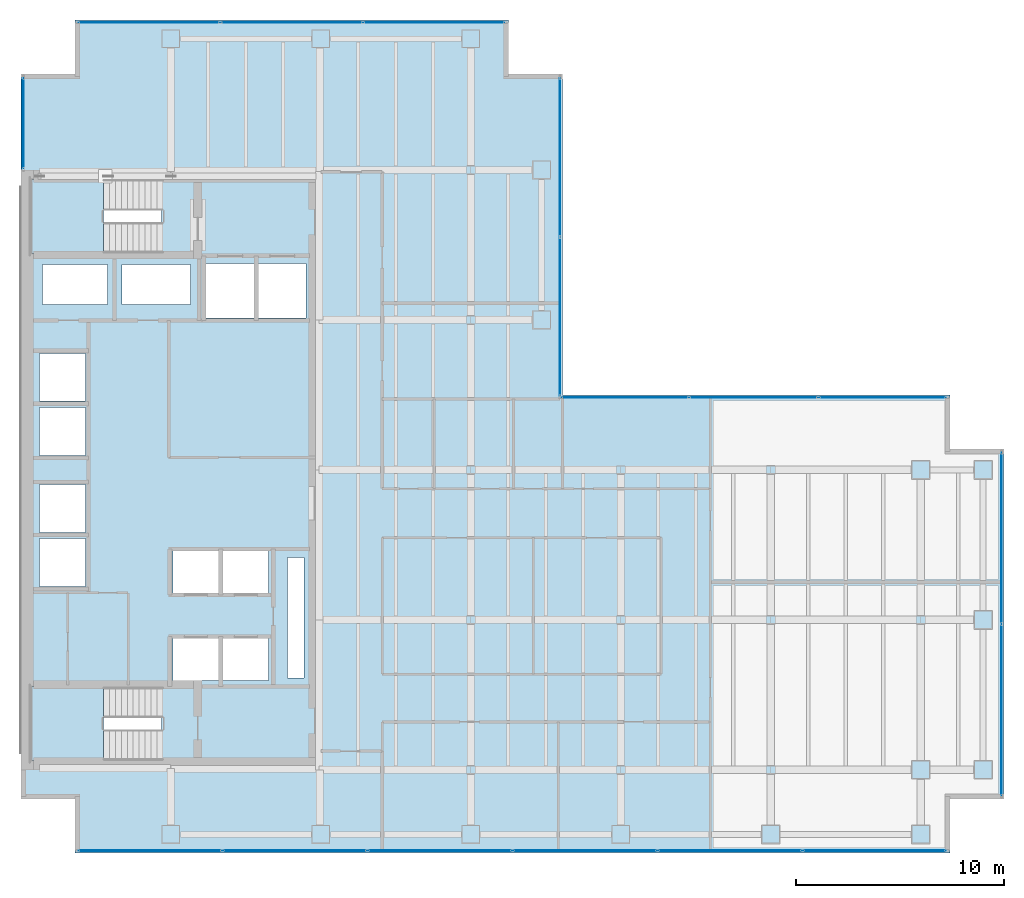
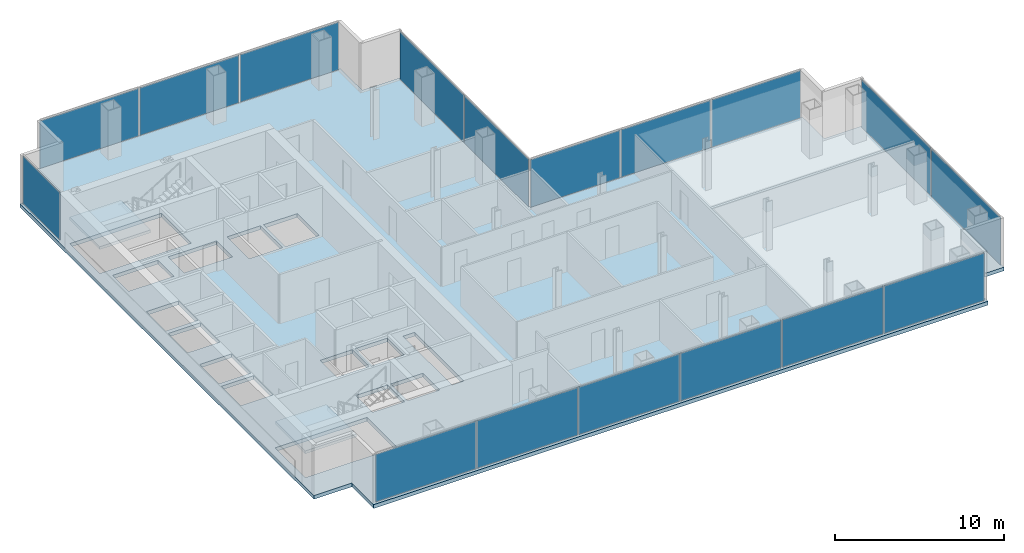
# One storey, part 19 of 23: 17 plates, 3 slabs, 15 openings, 8 elements without a shape of their own.
"""IFC4 building model written with IfcOpenShell, lengths in metres."""

from ifc_helpers import new_model, si_unit, direction, frame, origin, origin_2d, place, context, subcontext, project, spatial, polyline, rectangle, outline, extrude, material, layer, layer_set, type_object, element, aggregate, save


model = new_model("IFC4")

# Units and contexts
model_context = context("Model", 3, precision=1e-05, world=origin(), true_north=direction((0.0, 1.0)))
body_context = subcontext(model_context, "Body", "Model", "MODEL_VIEW")
ifc_project = project(units=[si_unit("LENGTHUNIT", "METRE"), si_unit("AREAUNIT", "SQUARE_METRE"), si_unit("VOLUMEUNIT", "CUBIC_METRE"), si_unit("PLANEANGLEUNIT", "RADIAN"), si_unit("MASSUNIT", "GRAM", prefix="KILO")], contexts=[model_context])

# Site, building, storey
site_placement = place(None, origin())
site = spatial("IfcSite", under=ifc_project, at=site_placement, CompositionType="ELEMENT")
building_placement = place(site_placement, origin())
building = spatial("IfcBuilding", under=site, at=building_placement, Name="Cobrela Telecom Tower", CompositionType="ELEMENT")
storey_placement = place(building_placement, frame((0.0, 0.0, 140.699951171875)))
storey = spatial("IfcBuildingStorey", under=building, at=storey_placement, Name="L35", CompositionType="ELEMENT", Elevation=140.699951171875)

# Curtain wall, plate
ifc_material_1 = material(Name="Anodized Bronze Aluminium 6063-T6", Category="aluminium")
curtain_wall_type = type_object("IfcCurtainWallType", Name="CW-SYS-TEL", PredefinedType="USERDEFINED", material=ifc_material_1)
curtain_wall_1_placement = place(storey_placement, origin())
curtain_wall_1 = element("IfcCurtainWall", 1, at=curtain_wall_1_placement, inside=storey, type_object=curtain_wall_type, Name="L35 Unitised Bronze Curtain Wall 04", ObjectType="UNITISED CURTAIN WALL", PredefinedType="USERDEFINED")
ifc_material_2 = material(Name="Solar-Control Bronze Low-E Glass", Category="glass")
ifc_layer_1 = layer(ifc_material_2, 0.035888671875)
ifc_layer_set_1 = layer_set([ifc_layer_1], Name="Solar-Control Bronze Low-E Glass")
plate_type = type_object("IfcPlateType", Name="CW-SYS-TEL-PNL", PredefinedType="CURTAIN_PANEL", material=ifc_layer_set_1)
plate_1_placement = place(storey_placement, frame((0.1201171875, 38.2451171875, 0.070068359375), z_axis=(0.0, 0.0, 1.0), x_axis=(0.0, 1.0, 0.0)))
plate_1 = element("IfcPlate", 2, at=plate_1_placement, type_object=plate_type, Name="CW-TEL panel 1.1", PredefinedType="CURTAIN_PANEL", context=body_context, shape_type="SweptSolid", body=[
    extrude(rectangle(XDim=4.340087890625, YDim=0.035888671875, at=origin_2d()), origin(), (0.0, 0.0, 1.0), 3.43994140625),
])
aggregate(curtain_wall_1, [plate_1])

# Curtain wall, plates
curtain_wall_2_placement = place(storey_placement, origin())
curtain_wall_2 = element("IfcCurtainWall", 3, at=curtain_wall_2_placement, inside=storey, type_object=curtain_wall_type, Name="L35 Unitised Bronze Curtain Wall 07", ObjectType="UNITISED CURTAIN WALL", PredefinedType="USERDEFINED")
plate_2_placement = place(storey_placement, frame((6.15869140625, 43.080078125, 0.070068359375), z_axis=(0.0, 0.0, 1.0), x_axis=(1.0, 0.0, 0.0)))
plate_2 = element("IfcPlate", 4, at=plate_2_placement, type_object=plate_type, Name="CW-TEL panel 1.1", PredefinedType="CURTAIN_PANEL", context=body_context, shape_type="SweptSolid", body=[
    extrude(rectangle(XDim=6.74755859375, YDim=0.035888671875, at=origin_2d()), origin(), (0.0, 0.0, 1.0), 3.43994140625),
])
plate_3_placement = place(storey_placement, frame((13.0, 43.080078125, 0.070068359375), z_axis=(0.0, 0.0, 1.0), x_axis=(1.0, 0.0, 0.0)))
plate_3 = element("IfcPlate", 5, at=plate_3_placement, type_object=plate_type, Name="CW-TEL panel 2.1", PredefinedType="CURTAIN_PANEL", context=body_context, shape_type="SweptSolid", body=[
    extrude(rectangle(XDim=6.784912109375, YDim=0.035888671875, at=origin_2d()), origin(), (0.0, 0.0, 1.0), 3.43994140625),
])
plate_4_placement = place(storey_placement, frame((19.84130859375, 43.080078125, 0.070068359375), z_axis=(0.0, 0.0, 1.0), x_axis=(1.0, 0.0, 0.0)))
plate_4 = element("IfcPlate", 6, at=plate_4_placement, type_object=plate_type, Name="CW-TEL panel 3.1", PredefinedType="CURTAIN_PANEL", context=body_context, shape_type="SweptSolid", body=[
    extrude(rectangle(XDim=6.74755859375, YDim=0.035888671875, at=origin_2d()), origin(), (0.0, 0.0, 1.0), 3.43994140625),
])
aggregate(curtain_wall_2, [plate_2, plate_3, plate_4])

curtain_wall_3_placement = place(storey_placement, origin())
curtain_wall_3 = element("IfcCurtainWall", 7, at=curtain_wall_3_placement, inside=storey, type_object=curtain_wall_type, Name="L35 Unitised Bronze Curtain Wall 10", ObjectType="UNITISED CURTAIN WALL", PredefinedType="USERDEFINED")
plate_5_placement = place(storey_placement, frame((25.8798828125, 36.61865234375, 0.070068359375), z_axis=(0.0, 0.0, 1.0), x_axis=(0.0, -1.0, 0.0)))
plate_5 = element("IfcPlate", 8, at=plate_5_placement, type_object=plate_type, Name="CW-TEL panel 1.1", PredefinedType="CURTAIN_PANEL", context=body_context, shape_type="SweptSolid", body=[
    extrude(rectangle(XDim=7.592529296875, YDim=0.035888671875, at=origin_2d()), origin(), (0.0, 0.0, 1.0), 3.43994140625),
])
plate_6_placement = place(storey_placement, frame((25.8798828125, 28.951171875, 0.070068359375), z_axis=(0.0, 0.0, 1.0), x_axis=(0.0, -1.0, 0.0)))
plate_6 = element("IfcPlate", 9, at=plate_6_placement, type_object=plate_type, Name="CW-TEL panel 2.1", PredefinedType="CURTAIN_PANEL", context=body_context, shape_type="SweptSolid", body=[
    extrude(rectangle(XDim=7.592529296875, YDim=0.035888671875, at=origin_2d()), origin(), (0.0, 0.0, 1.0), 3.43994140625),
])
aggregate(curtain_wall_3, [plate_5, plate_6])

curtain_wall_4_placement = place(storey_placement, origin())
curtain_wall_4 = element("IfcCurtainWall", 10, at=curtain_wall_4_placement, inside=storey, type_object=curtain_wall_type, Name="L35 Unitised Bronze Curtain Wall 11", ObjectType="UNITISED CURTAIN WALL", PredefinedType="USERDEFINED")
plate_7_placement = place(storey_placement, frame((29.00048828125, 25.080078125, 0.070068359375), z_axis=(0.0, 0.0, 1.0), x_axis=(1.0, 0.0, 0.0)))
plate_7 = element("IfcPlate", 11, at=plate_7_placement, type_object=plate_type, Name="CW-TEL panel 1.1", PredefinedType="CURTAIN_PANEL", context=body_context, shape_type="SweptSolid", body=[
    extrude(rectangle(XDim=6.0908203125, YDim=0.035888671875, at=origin_2d()), origin(), (0.0, 0.0, 1.0), 3.43994140625),
])
plate_8_placement = place(storey_placement, frame((35.18505859375, 25.080078125, 0.070068359375), z_axis=(0.0, 0.0, 1.0), x_axis=(1.0, 0.0, 0.0)))
plate_8 = element("IfcPlate", 12, at=plate_8_placement, type_object=plate_type, Name="CW-TEL panel 2.1", PredefinedType="CURTAIN_PANEL", context=body_context, shape_type="SweptSolid", body=[
    extrude(rectangle(XDim=6.12841796875, YDim=0.035888671875, at=origin_2d()), origin(), (0.0, 0.0, 1.0), 3.43994140625),
])
plate_9_placement = place(storey_placement, frame((41.36962890625, 25.080078125, 0.070068359375), z_axis=(0.0, 0.0, 1.0), x_axis=(1.0, 0.0, 0.0)))
plate_9 = element("IfcPlate", 13, at=plate_9_placement, type_object=plate_type, Name="CW-TEL panel 3.1", PredefinedType="CURTAIN_PANEL", context=body_context, shape_type="SweptSolid", body=[
    extrude(rectangle(XDim=6.0908203125, YDim=0.035888671875, at=origin_2d()), origin(), (0.0, 0.0, 1.0), 3.43994140625),
])
aggregate(curtain_wall_4, [plate_7, plate_8, plate_9])

curtain_wall_5_placement = place(storey_placement, origin())
curtain_wall_5 = element("IfcCurtainWall", 14, at=curtain_wall_5_placement, inside=storey, type_object=curtain_wall_type, Name="L35 Unitised Bronze Curtain Wall 14", ObjectType="UNITISED CURTAIN WALL", PredefinedType="USERDEFINED")
plate_10_placement = place(storey_placement, frame((47.080078125, 18.326171875, 0.070068359375), z_axis=(0.0, 0.0, 1.0), x_axis=(0.0, -1.0, 0.0)))
plate_10 = element("IfcPlate", 15, at=plate_10_placement, type_object=plate_type, Name="CW-TEL panel 1.1", PredefinedType="CURTAIN_PANEL", context=body_context, shape_type="SweptSolid", body=[
    extrude(rectangle(XDim=8.177490234375, YDim=0.035888671875, at=origin_2d()), origin(), (0.0, 0.0, 1.0), 3.43994140625),
])
plate_11_placement = place(storey_placement, frame((47.080078125, 10.07373046875, 0.070068359375), z_axis=(0.0, 0.0, 1.0), x_axis=(0.0, -1.0, 0.0)))
plate_11 = element("IfcPlate", 16, at=plate_11_placement, type_object=plate_type, Name="CW-TEL panel 2.1", PredefinedType="CURTAIN_PANEL", context=body_context, shape_type="SweptSolid", body=[
    extrude(rectangle(XDim=8.177490234375, YDim=0.035888671875, at=origin_2d()), origin(), (0.0, 0.0, 1.0), 3.43994140625),
])
aggregate(curtain_wall_5, [plate_10, plate_11])

curtain_wall_6_placement = place(storey_placement, origin())
curtain_wall_6 = element("IfcCurtainWall", 17, at=curtain_wall_6_placement, inside=storey, type_object=curtain_wall_type, Name="L35 Unitised Bronze Curtain Wall 17", ObjectType="UNITISED CURTAIN WALL", PredefinedType="USERDEFINED")
plate_12_placement = place(storey_placement, frame((40.989501953125, 3.320068359375, 0.070068359375), z_axis=(0.0, 0.0, 1.0), x_axis=(-1.0, 0.0, 0.0)))
plate_12 = element("IfcPlate", 18, at=plate_12_placement, type_object=plate_type, Name="CW-TEL panel 1.1", PredefinedType="CURTAIN_PANEL", context=body_context, shape_type="SweptSolid", body=[
    extrude(rectangle(XDim=6.850830078125, YDim=0.035888671875, at=origin_2d()), origin(), (0.0, 0.0, 1.0), 3.43994140625),
])
plate_13_placement = place(storey_placement, frame((34.044921875, 3.320068359375, 0.070068359375), z_axis=(0.0, 0.0, 1.0), x_axis=(-1.0, 0.0, 0.0)))
plate_13 = element("IfcPlate", 19, at=plate_13_placement, type_object=plate_type, Name="CW-TEL panel 2.1", PredefinedType="CURTAIN_PANEL", context=body_context, shape_type="SweptSolid", body=[
    extrude(rectangle(XDim=6.888427734375, YDim=0.035888671875, at=origin_2d()), origin(), (0.0, 0.0, 1.0), 3.43994140625),
])
plate_14_placement = place(storey_placement, frame((27.081787109375, 3.320068359375, 0.070068359375), z_axis=(0.0, 0.0, 1.0), x_axis=(-1.0, 0.0, 0.0)))
plate_14 = element("IfcPlate", 20, at=plate_14_placement, type_object=plate_type, Name="CW-TEL panel 3.1", PredefinedType="CURTAIN_PANEL", context=body_context, shape_type="SweptSolid", body=[
    extrude(rectangle(XDim=6.888427734375, YDim=0.035888671875, at=origin_2d()), origin(), (0.0, 0.0, 1.0), 3.43994140625),
])
plate_15_placement = place(storey_placement, frame((20.118408203125, 3.320068359375, 0.070068359375), z_axis=(0.0, 0.0, 1.0), x_axis=(-1.0, 0.0, 0.0)))
plate_15 = element("IfcPlate", 21, at=plate_15_placement, type_object=plate_type, Name="CW-TEL panel 4.1", PredefinedType="CURTAIN_PANEL", context=body_context, shape_type="SweptSolid", body=[
    extrude(rectangle(XDim=6.888427734375, YDim=0.035888671875, at=origin_2d()), origin(), (0.0, 0.0, 1.0), 3.43994140625),
])
plate_16_placement = place(storey_placement, frame((13.155029296875, 3.320068359375, 0.070068359375), z_axis=(0.0, 0.0, 1.0), x_axis=(-1.0, 0.0, 0.0)))
plate_16 = element("IfcPlate", 22, at=plate_16_placement, type_object=plate_type, Name="CW-TEL panel 5.1", PredefinedType="CURTAIN_PANEL", context=body_context, shape_type="SweptSolid", body=[
    extrude(rectangle(XDim=6.888427734375, YDim=0.035888671875, at=origin_2d()), origin(), (0.0, 0.0, 1.0), 3.43994140625),
])
plate_17_placement = place(storey_placement, frame((6.21044921875, 3.320068359375, 0.070068359375), z_axis=(0.0, 0.0, 1.0), x_axis=(-1.0, 0.0, 0.0)))
plate_17 = element("IfcPlate", 23, at=plate_17_placement, type_object=plate_type, Name="CW-TEL panel 6.1", PredefinedType="CURTAIN_PANEL", context=body_context, shape_type="SweptSolid", body=[
    extrude(rectangle(XDim=6.850830078125, YDim=0.035888671875, at=origin_2d()), origin(), (0.0, 0.0, 1.0), 3.43994140625),
])
aggregate(curtain_wall_6, [plate_12, plate_13, plate_14, plate_15, plate_16, plate_17])

# Slab, openings
ifc_material_3 = material(Name="Concrete C40/50", Category="concrete")
ifc_layer_2 = layer(ifc_material_3, 0.27001953125)
ifc_layer_set_2 = layer_set([ifc_layer_2], Name="Concrete C40/50")
slab_type_1 = type_object("IfcSlabType", Name="SLAB-FLR-270", PredefinedType="FLOOR", material=ifc_layer_set_2)
slab_1_placement = place(storey_placement, frame((0.0, 0.0, -0.27001953125)))
slab_1 = element("IfcSlab", 24, at=slab_1_placement, inside=storey, type_object=slab_type_1, Name="L35 Structural Floor Slab", PredefinedType="FLOOR", context=body_context, shape_type="SweptSolid", body=[
    extrude(outline(polyline([(2.590087890625, 3.199951171875), (44.610107421875, 3.199951171875), (44.610107421875, 5.7900390625), (47.199951171875, 5.7900390625), (47.199951171875, 22.610107421875), (44.610107421875, 22.610107421875), (44.610107421875, 25.199951171875), (26.0, 25.199951171875), (26.0, 40.610107421875), (23.409912109375, 40.610107421875), (23.409912109375, 43.199951171875), (2.590087890625, 43.199951171875), (2.590087890625, 40.610107421875), (0.0, 40.610107421875), (0.0, 5.7900390625), (2.590087890625, 5.7900390625), (2.590087890625, 3.199951171875)])), origin(), (0.0, 0.0, 1.0), 0.27001953125),
])
opening_1_placement = place(slab_1_placement, frame((0.0, 0.0, -0.02001953125)))
element("IfcOpeningElement", 25, at=opening_1_placement, cuts=slab_1, Name="Slab Shaft Opening SLAB-L35-MAIN.1", PredefinedType="OPENING", context=body_context, shape_type="SweptSolid", body=[
    extrude(outline(polyline([(8.89990234375, 28.89990234375), (11.199951171875, 28.89990234375), (11.199951171875, 31.5), (8.89990234375, 31.5), (8.89990234375, 28.89990234375)])), origin(), (0.0, 0.0, 1.0), 0.31005859375),
])
opening_2_placement = place(slab_1_placement, frame((0.0, 0.0, -0.02001953125)))
element("IfcOpeningElement", 26, at=opening_2_placement, cuts=slab_1, Name="Slab Shaft Opening SLAB-L35-MAIN.2", PredefinedType="OPENING", context=body_context, shape_type="SweptSolid", body=[
    extrude(outline(polyline([(11.39990234375, 28.89990234375), (13.699951171875, 28.89990234375), (13.699951171875, 31.5), (11.39990234375, 31.5), (11.39990234375, 28.89990234375)])), origin(), (0.0, 0.0, 1.0), 0.31005859375),
])
opening_3_placement = place(slab_1_placement, frame((0.0, 0.0, -0.02001953125)))
element("IfcOpeningElement", 27, at=opening_3_placement, cuts=slab_1, Name="Slab Shaft Opening SLAB-L35-MAIN.3", PredefinedType="OPENING", context=body_context, shape_type="SweptSolid", body=[
    extrude(outline(polyline([(7.300048828125, 15.699951171875), (9.5, 15.699951171875), (9.5, 17.699951171875), (7.300048828125, 17.699951171875), (7.300048828125, 15.699951171875)])), origin(), (0.0, 0.0, 1.0), 0.31005859375),
])
opening_4_placement = place(slab_1_placement, frame((0.0, 0.0, -0.02001953125)))
element("IfcOpeningElement", 28, at=opening_4_placement, cuts=slab_1, Name="Slab Shaft Opening SLAB-L35-MAIN.4", PredefinedType="OPENING", context=body_context, shape_type="SweptSolid", body=[
    extrude(outline(polyline([(9.699951171875, 15.699951171875), (11.89990234375, 15.699951171875), (11.89990234375, 17.699951171875), (9.699951171875, 17.699951171875), (9.699951171875, 15.699951171875)])), origin(), (0.0, 0.0, 1.0), 0.31005859375),
])
opening_5_placement = place(slab_1_placement, frame((0.0, 0.0, -0.02001953125)))
element("IfcOpeningElement", 29, at=opening_5_placement, cuts=slab_1, Name="Slab Shaft Opening SLAB-L35-MAIN.5", PredefinedType="OPENING", context=body_context, shape_type="SweptSolid", body=[
    extrude(outline(polyline([(7.300048828125, 11.5), (9.5, 11.5), (9.5, 13.5), (7.300048828125, 13.5), (7.300048828125, 11.5)])), origin(), (0.0, 0.0, 1.0), 0.31005859375),
])
opening_6_placement = place(slab_1_placement, frame((0.0, 0.0, -0.02001953125)))
element("IfcOpeningElement", 30, at=opening_6_placement, cuts=slab_1, Name="Slab Shaft Opening SLAB-L35-MAIN.6", PredefinedType="OPENING", context=body_context, shape_type="SweptSolid", body=[
    extrude(outline(polyline([(9.699951171875, 11.5), (11.89990234375, 11.5), (11.89990234375, 13.5), (9.699951171875, 13.5), (9.699951171875, 11.5)])), origin(), (0.0, 0.0, 1.0), 0.31005859375),
])
opening_7_placement = place(slab_1_placement, frame((0.0, 0.0, -0.02001953125)))
element("IfcOpeningElement", 31, at=opening_7_placement, cuts=slab_1, Name="Slab Shaft Opening SLAB-L35-MAIN.7", PredefinedType="OPENING", context=body_context, shape_type="SweptSolid", body=[
    extrude(outline(polyline([(0.89990234375, 16.0), (3.10009765625, 16.0), (3.10009765625, 18.300048828125), (0.89990234375, 18.300048828125), (0.89990234375, 16.0)])), origin(), (0.0, 0.0, 1.0), 0.31005859375),
])
opening_8_placement = place(slab_1_placement, frame((0.0, 0.0, -0.02001953125)))
element("IfcOpeningElement", 32, at=opening_8_placement, cuts=slab_1, Name="Slab Shaft Opening SLAB-L35-MAIN.8", PredefinedType="OPENING", context=body_context, shape_type="SweptSolid", body=[
    extrude(outline(polyline([(0.89990234375, 18.60009765625), (3.10009765625, 18.60009765625), (3.10009765625, 20.89990234375), (0.89990234375, 20.89990234375), (0.89990234375, 18.60009765625)])), origin(), (0.0, 0.0, 1.0), 0.31005859375),
])
opening_9_placement = place(slab_1_placement, frame((0.0, 0.0, -0.02001953125)))
element("IfcOpeningElement", 33, at=opening_9_placement, cuts=slab_1, Name="Slab Shaft Opening SLAB-L35-MAIN.9", PredefinedType="OPENING", context=body_context, shape_type="SweptSolid", body=[
    extrude(outline(polyline([(0.89990234375, 22.300048828125), (3.10009765625, 22.300048828125), (3.10009765625, 24.60009765625), (0.89990234375, 24.60009765625), (0.89990234375, 22.300048828125)])), origin(), (0.0, 0.0, 1.0), 0.31005859375),
])
opening_10_placement = place(slab_1_placement, frame((0.0, 0.0, -0.02001953125)))
element("IfcOpeningElement", 34, at=opening_10_placement, cuts=slab_1, Name="Slab Shaft Opening SLAB-L35-MAIN.10", PredefinedType="OPENING", context=body_context, shape_type="SweptSolid", body=[
    extrude(outline(polyline([(0.89990234375, 24.89990234375), (3.10009765625, 24.89990234375), (3.10009765625, 27.199951171875), (0.89990234375, 27.199951171875), (0.89990234375, 24.89990234375)])), origin(), (0.0, 0.0, 1.0), 0.31005859375),
])
opening_11_placement = place(slab_1_placement, frame((0.0, 0.0, -0.02001953125)))
element("IfcOpeningElement", 35, at=opening_11_placement, cuts=slab_1, Name="Slab Shaft Opening SLAB-L35-MAIN.11", PredefinedType="OPENING", context=body_context, shape_type="SweptSolid", body=[
    extrude(outline(polyline([(1.050048828125, 29.550048828125), (4.14990234375, 29.550048828125), (4.14990234375, 31.449951171875), (1.050048828125, 31.449951171875), (1.050048828125, 29.550048828125)])), origin(), (0.0, 0.0, 1.0), 0.31005859375),
])
opening_12_placement = place(slab_1_placement, frame((0.0, 0.0, -0.02001953125)))
element("IfcOpeningElement", 36, at=opening_12_placement, cuts=slab_1, Name="Slab Shaft Opening SLAB-L35-MAIN.12", PredefinedType="OPENING", context=body_context, shape_type="SweptSolid", body=[
    extrude(outline(polyline([(4.85009765625, 29.550048828125), (8.14990234375, 29.550048828125), (8.14990234375, 31.449951171875), (4.85009765625, 31.449951171875), (4.85009765625, 29.550048828125)])), origin(), (0.0, 0.0, 1.0), 0.31005859375),
])
opening_13_placement = place(slab_1_placement, frame((0.0, 0.0, -0.02001953125)))
element("IfcOpeningElement", 37, at=opening_13_placement, cuts=slab_1, Name="Slab Shaft Opening SLAB-L35-MAIN.13", PredefinedType="OPENING", context=body_context, shape_type="SweptSolid", body=[
    extrude(outline(polyline([(12.800048828125, 11.60009765625), (13.60009765625, 11.60009765625), (13.60009765625, 17.39990234375), (12.800048828125, 17.39990234375), (12.800048828125, 11.60009765625)])), origin(), (0.0, 0.0, 1.0), 0.31005859375),
])
opening_14_placement = place(slab_1_placement, frame((0.0, 0.0, -0.02001953125)))
element("IfcOpeningElement", 38, at=opening_14_placement, cuts=slab_1, Name="Slab Shaft Opening SLAB-L35-MAIN.14", PredefinedType="OPENING", context=body_context, shape_type="SweptSolid", body=[
    extrude(outline(polyline([(6.7548828125, 35.550048828125), (0.47998046875, 35.550048828125), (0.47998046875, 32.0), (6.7548828125, 32.0), (6.7548828125, 35.550048828125)])), origin(), (0.0, 0.0, 1.0), 0.31005859375),
])
opening_15_placement = place(slab_1_placement, frame((0.0, 0.0, -0.02001953125)))
element("IfcOpeningElement", 39, at=opening_15_placement, cuts=slab_1, Name="Slab Shaft Opening SLAB-L35-MAIN.15", PredefinedType="OPENING", context=body_context, shape_type="SweptSolid", body=[
    extrude(outline(polyline([(6.7548828125, 11.199951171875), (0.47998046875, 11.199951171875), (0.47998046875, 7.64990234375), (6.7548828125, 7.64990234375), (6.7548828125, 11.199951171875)])), origin(), (0.0, 0.0, 1.0), 0.31005859375),
])

# Stair, slab
stair_type = type_object("IfcStairType", Name="STAIR-CORE", PredefinedType="HALF_TURN_STAIR", material=ifc_material_3)
stair_1_placement = place(storey_placement, origin())
stair_1 = element("IfcStair", 40, at=stair_1_placement, inside=storey, type_object=stair_type, Name="L35 Smokeproof Exit Stair ST1", PredefinedType="HALF_TURN_STAIR")
ifc_layer_3 = layer(ifc_material_3, 0.199951171875)
ifc_layer_set_3 = layer_set([ifc_layer_3], Name="Concrete C40/50")
slab_type_2 = type_object("IfcSlabType", Name="SLAB-LAND-200", PredefinedType="LANDING", material=ifc_layer_set_3)
slab_2_placement = place(storey_placement, frame((0.0, 0.0, 1.72509765625)))
slab_2 = element("IfcSlab", 41, at=slab_2_placement, type_object=slab_type_2, Name="ST1 landing 1", PredefinedType="LANDING", context=body_context, shape_type="SweptSolid", body=[
    extrude(outline(polyline([(3.969970703125, 35.550048828125), (0.47998046875, 35.550048828125), (0.47998046875, 32.0), (3.969970703125, 32.0), (3.969970703125, 35.550048828125)])), origin(), (0.0, 0.0, 1.0), 0.199951171875),
])
aggregate(stair_1, [slab_2])

stair_2_placement = place(storey_placement, origin())
stair_2 = element("IfcStair", 42, at=stair_2_placement, inside=storey, type_object=stair_type, Name="L35 Smokeproof Exit Stair ST2", PredefinedType="HALF_TURN_STAIR")
slab_3_placement = place(storey_placement, frame((0.0, 0.0, 1.72509765625)))
slab_3 = element("IfcSlab", 43, at=slab_3_placement, type_object=slab_type_2, Name="ST2 landing 1", PredefinedType="LANDING", context=body_context, shape_type="SweptSolid", body=[
    extrude(outline(polyline([(3.969970703125, 11.199951171875), (0.47998046875, 11.199951171875), (0.47998046875, 7.64990234375), (3.969970703125, 7.64990234375), (3.969970703125, 11.199951171875)])), origin(), (0.0, 0.0, 1.0), 0.199951171875),
])
aggregate(stair_2, [slab_3])

save(model, "model.ifc")
